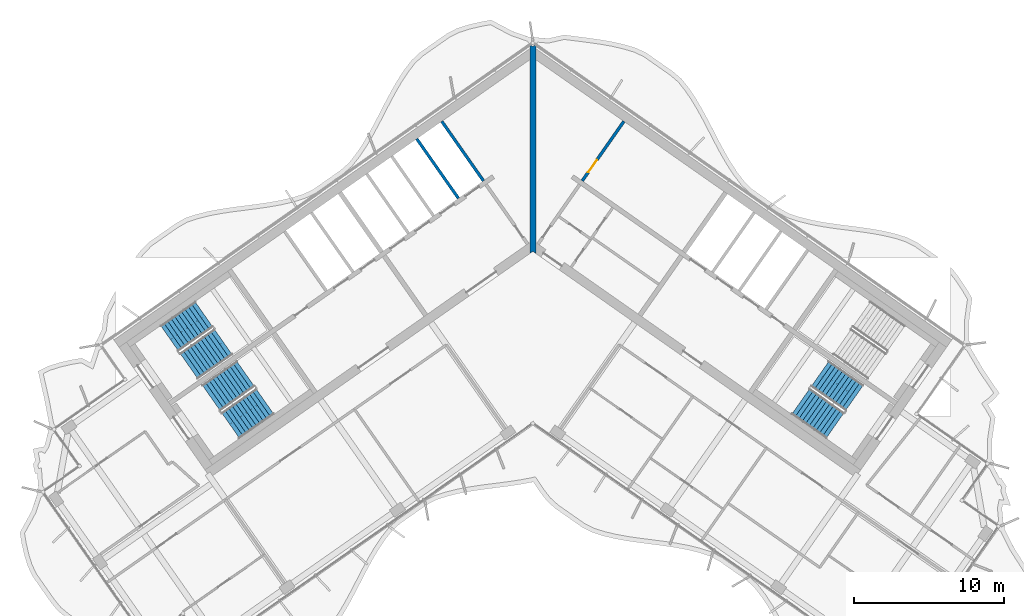
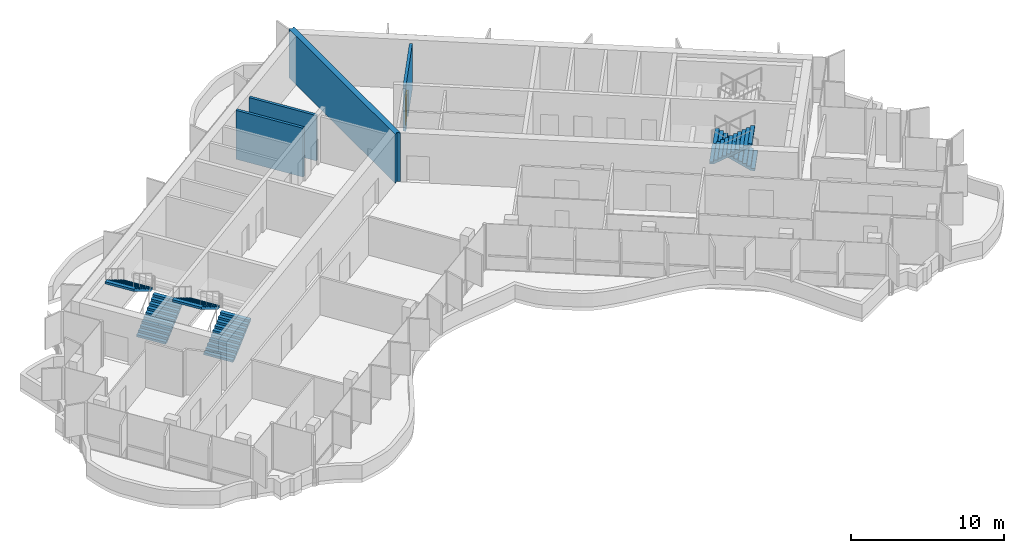
# One storey, part 12 of 18: 6 stair flights, 4 walls, 1 door, 1 opening, 3 elements without a shape of their own.
"""IFC4 building model written with IfcOpenShell, lengths in metres."""

from ifc_helpers import new_model, si_unit, direction, frame, frame_2d, origin, place, context, subcontext, project, spatial, polyline, rectangle, outline, extrude, material, layer, layer_set, type_object, element, fill, aggregate, save


model = new_model("IFC4")

# Units and contexts
model_context = context("Model", 3, precision=1e-05, world=origin(), true_north=direction((0.0, 1.0)))
body_context = subcontext(model_context, "Body", "Model", "MODEL_VIEW")
ifc_project = project(units=[si_unit("LENGTHUNIT", "METRE"), si_unit("AREAUNIT", "SQUARE_METRE"), si_unit("VOLUMEUNIT", "CUBIC_METRE"), si_unit("PLANEANGLEUNIT", "RADIAN"), si_unit("MASSUNIT", "GRAM", prefix="KILO")], contexts=[model_context])

# Site, building, storey
site_placement = place(None, origin())
site = spatial("IfcSite", under=ifc_project, at=site_placement, CompositionType="ELEMENT")
building_placement = place(site_placement, origin())
building = spatial("IfcBuilding", under=site, at=building_placement, Name="Tel Ilan Convention Tower", CompositionType="ELEMENT")
storey_placement = place(building_placement, frame((0.0, 0.0, 256.60009765625)))
storey = spatial("IfcBuildingStorey", under=building, at=storey_placement, Name="L60", CompositionType="ELEMENT", Elevation=256.60009765625)

# Wall
ifc_material_1 = material(Name="Concrete C30/37", Category="concrete")
ifc_layer_1 = layer(ifc_material_1, 0.199951171875)
ifc_layer_set_1 = layer_set([ifc_layer_1], Name="Core Service Room Wall 200 mm C30/37")
wall_type_1 = type_object("IfcWallType", Name="Core Service Room Wall 200 mm C30/37", PredefinedType="SOLIDWALL", material=ifc_layer_set_1)
wall_1_placement = place(storey_placement, frame((-3.2978515625, 3.489501953125, 0.0), z_axis=(0.0, 0.0, 1.0), x_axis=(-0.573560315113, 0.819163332265, 0.0)))
element("IfcWall", 1, at=wall_1_placement, inside=storey, type_object=wall_type_1, Name="L60 core wall apex-W-b", PredefinedType="SOLIDWALL", context=body_context, shape_type="SweptSolid", body=[
    extrude(rectangle(XDim=4.849853515625, YDim=0.199951171875, at=frame_2d((2.4248046875, 0.0))), origin(), (0.0, 0.0, 1.0), 3.619873046875),
])

# Wall, opening, door
wall_2_placement = place(storey_placement, frame((3.2978515625, 3.489501953125, 0.0), z_axis=(0.0, 0.0, 1.0), x_axis=(0.573560315113, 0.819163332265, 0.0)))
wall_2 = element("IfcWall", 2, at=wall_2_placement, inside=storey, type_object=wall_type_1, Name="L60 core wall apex-E-b", PredefinedType="SOLIDWALL", context=body_context, shape_type="SweptSolid", body=[
    extrude(rectangle(XDim=4.849853515625, YDim=0.199951171875, at=frame_2d((2.4248046875, 0.0))), origin(), (0.0, 0.0, 1.0), 3.619873046875),
])
opening_placement = place(wall_2_placement, frame((0.699951171875, 0.0, 0.0)))
opening = element("IfcOpeningElement", 3, at=opening_placement, cuts=wall_2, Name="Opening CD4603", PredefinedType="OPENING", context=body_context, shape_type="SweptSolid", body=[
    extrude(rectangle(XDim=1.0, YDim=2.10009765625, at=frame_2d((0.5, 1.050048828125))), frame((0.0, 0.10986328125, 0.0), z_axis=(0.0, -1.0, 0.0), x_axis=(1.0, 0.0, 0.0)), (0.0, 0.0, 1.0), 0.219970703125),
])
ifc_material_2 = material(Name="Galvanised Steel Door Leaf", Category="steel")
door_type = type_object("IfcDoorType", Name="Service Room Door 1000 x 2100 FD60", OperationType="NOTDEFINED", PredefinedType="DOOR", material=ifc_material_2)
door_placement = place(opening_placement, origin())
door = element("IfcDoor", 4, at=door_placement, inside=storey, type_object=door_type, Name="Plant Room door", OperationType="SINGLE_SWING_RIGHT", OverallHeight=2.10009765625, OverallWidth=1.0, PredefinedType="DOOR", context=body_context, shape_type="SweptSolid", body=[
    extrude(rectangle(XDim=1.0, YDim=2.10009765625, at=frame_2d((0.5, 1.050048828125))), frame((0.0, 0.02490234375, 0.0), z_axis=(0.0, -1.0, 0.0), x_axis=(1.0, 0.0, 0.0)), (0.0, 0.0, 1.0), 0.050048828125),
])
fill(opening, door)

# Walls
ifc_material_3 = material(Name="Concrete C40/50", Category="concrete")
ifc_layer_2 = layer(ifc_material_3, 0.39990234375)
ifc_layer_set_2 = layer_set([ifc_layer_2], Name="Core Shear Wall 400 mm C40/50")
wall_type_2 = type_object("IfcWallType", Name="Core Shear Wall 400 mm C40/50", PredefinedType="SHEAR", material=ifc_layer_set_2)
wall_3_placement = place(storey_placement, frame((0.0, -1.36083984375, 0.0), z_axis=(0.0, 0.0, 1.0), x_axis=(0.0, 1.0, 0.0)))
element("IfcWall", 5, at=wall_3_placement, inside=storey, type_object=wall_type_2, Name="L60 core wall K-central", PredefinedType="SHEAR", context=body_context, shape_type="SweptSolid", body=[
    extrude(outline(polyline([(0.14013671875, 0.199951171875), (0.0, 0.199951171875), (0.14013671875, 0.0), (0.0, -0.199951171875), (0.14013671875, -0.199951171875), (1.012451171875, -0.199951171875), (12.940185546875, -0.199951171875), (13.812744140625, -0.199951171875), (13.893310546875, -0.199951171875), (13.933349609375, -0.172119140625), (13.812744140625, 0.0), (13.933349609375, 0.172119140625), (13.893310546875, 0.199951171875), (13.812744140625, 0.199951171875), (12.940185546875, 0.199951171875), (1.012451171875, 0.199951171875), (0.14013671875, 0.199951171875)])), origin(), (0.0, 0.0, 1.0), 3.89990234375),
])
ifc_material_4 = material(Name="Concrete C30/37", Category="concrete")
ifc_layer_3 = layer(ifc_material_4, 0.199951171875)
ifc_layer_set_3 = layer_set([ifc_layer_3], Name="Lift Shaft Wall 200 mm C30/37")
wall_type_3 = type_object("IfcWallType", Name="Lift Shaft Wall 200 mm C30/37", PredefinedType="SOLIDWALL", material=ifc_layer_set_3)
wall_4_placement = place(storey_placement, frame((-4.966796875, 2.32080078125, 0.0), z_axis=(0.0, 0.0, 1.0), x_axis=(-0.573594092424, 0.81913968109, 0.0)))
element("IfcWall", 6, at=wall_4_placement, inside=storey, type_object=wall_type_3, Name="L60 core wall bank-W1-p0", PredefinedType="SOLIDWALL", context=body_context, shape_type="SweptSolid", body=[
    extrude(rectangle(XDim=4.85009765625, YDim=0.199951171875, at=frame_2d((2.425048828125, 0.0))), origin(), (0.0, 0.0, 1.0), 3.89990234375),
])

# Stair, stair flights
ifc_material_5 = material(Name="Concrete C40/50", Category="concrete")
stair_type = type_object("IfcStairType", Name="Pressurised Exit Stair 22 risers 177 mm", PredefinedType="HALF_TURN_STAIR", material=ifc_material_5)
stair_1_placement = place(storey_placement, origin())
stair_1 = element("IfcStair", 7, at=stair_1_placement, inside=storey, type_object=stair_type, Name="L60 Pressurised Stair S1", PredefinedType="HALF_TURN_STAIR")
ifc_material_6 = material(Name="Precast Concrete C40/50", Category="concrete")
stair_flight_type = type_object("IfcStairFlightType", Name="Concrete Stair Flight 2100 mm 22 risers 177 mm", PredefinedType="STRAIGHT", material=ifc_material_6)
stair_flight_1_placement = place(storey_placement, frame((-22.9619140625, -8.87548828125, 0.0), z_axis=(0.0, 0.0, 1.0), x_axis=(0.819152044289, 0.573576436351, 0.0)))
stair_flight_1 = element("IfcStairFlight", 8, at=stair_flight_1_placement, type_object=stair_flight_type, Name="S1 flight 1", NumberOfRisers=11, NumberOfTreads=10, PredefinedType="STRAIGHT", RiserHeight=0.177272727, TreadLength=0.28, context=body_context, shape_type="SweptSolid", body=[
    extrude(outline(polyline([(0.0, 0.0), (0.0, 0.17724609375), (0.280029296875, 0.17724609375), (0.280029296875, 0.3544921875), (0.56005859375, 0.3544921875), (0.56005859375, 0.53173828125), (0.840087890625, 0.53173828125), (0.840087890625, 0.708984375), (1.1201171875, 0.708984375), (1.1201171875, 0.886474609375), (1.39990234375, 0.886474609375), (1.39990234375, 1.063720703125), (1.679931640625, 1.063720703125), (1.679931640625, 1.240966796875), (1.9599609375, 1.240966796875), (1.9599609375, 1.418212890625), (2.239990234375, 1.418212890625), (2.239990234375, 1.595458984375), (2.52001953125, 1.595458984375), (2.52001953125, 1.772705078125), (2.800048828125, 1.772705078125), (2.800048828125, 1.949951171875), (2.800048828125, 1.59521484375), (0.2802734375, 0.0), (0.0, 0.0)])), frame((0.0, -0.100341796875, 0.0), z_axis=(0.0, -1.0, 0.0), x_axis=(1.0, 0.0, 0.0)), (0.0, 0.0, 1.0), 0.94970703125),
    extrude(outline(polyline([(0.0, 0.0), (0.0, 0.17724609375), (0.280029296875, 0.17724609375), (0.280029296875, 0.3544921875), (0.56005859375, 0.3544921875), (0.56005859375, 0.53173828125), (0.840087890625, 0.53173828125), (0.840087890625, 0.708984375), (1.1201171875, 0.708984375), (1.1201171875, 0.886474609375), (1.39990234375, 0.886474609375), (1.39990234375, 1.063720703125), (1.679931640625, 1.063720703125), (1.679931640625, 1.240966796875), (1.9599609375, 1.240966796875), (1.9599609375, 1.418212890625), (2.239990234375, 1.418212890625), (2.239990234375, 1.595458984375), (2.52001953125, 1.595458984375), (2.52001953125, 1.772705078125), (2.800048828125, 1.772705078125), (2.800048828125, 1.949951171875), (2.800048828125, 1.59521484375), (0.2802734375, 0.0), (0.0, 0.0)])), frame((0.0, -0.000244140625, 0.0), z_axis=(0.0, -1.0, 0.0), x_axis=(1.0, 0.0, 0.0)), (0.0, 0.0, 1.0), 0.099609375),
    extrude(outline(polyline([(0.0, 0.0), (0.0, 0.17724609375), (0.280029296875, 0.17724609375), (0.280029296875, 0.3544921875), (0.56005859375, 0.3544921875), (0.56005859375, 0.53173828125), (0.840087890625, 0.53173828125), (0.840087890625, 0.708984375), (1.1201171875, 0.708984375), (1.1201171875, 0.886474609375), (1.39990234375, 0.886474609375), (1.39990234375, 1.063720703125), (1.679931640625, 1.063720703125), (1.679931640625, 1.240966796875), (1.9599609375, 1.240966796875), (1.9599609375, 1.418212890625), (2.239990234375, 1.418212890625), (2.239990234375, 1.595458984375), (2.52001953125, 1.595458984375), (2.52001953125, 1.772705078125), (2.800048828125, 1.772705078125), (2.800048828125, 1.949951171875), (2.800048828125, 1.59521484375), (0.2802734375, 0.0), (0.0, 0.0)])), frame((0.0, 0.099853515625, 0.0), z_axis=(0.0, -1.0, 0.0), x_axis=(1.0, 0.0, 0.0)), (0.0, 0.0, 1.0), 0.099609375),
    extrude(outline(polyline([(0.0, 0.0), (0.0, 0.17724609375), (0.280029296875, 0.17724609375), (0.280029296875, 0.3544921875), (0.56005859375, 0.3544921875), (0.56005859375, 0.53173828125), (0.840087890625, 0.53173828125), (0.840087890625, 0.708984375), (1.1201171875, 0.708984375), (1.1201171875, 0.886474609375), (1.39990234375, 0.886474609375), (1.39990234375, 1.063720703125), (1.679931640625, 1.063720703125), (1.679931640625, 1.240966796875), (1.9599609375, 1.240966796875), (1.9599609375, 1.418212890625), (2.239990234375, 1.418212890625), (2.239990234375, 1.595458984375), (2.52001953125, 1.595458984375), (2.52001953125, 1.772705078125), (2.800048828125, 1.772705078125), (2.800048828125, 1.949951171875), (2.800048828125, 1.59521484375), (0.2802734375, 0.0), (0.0, 0.0)])), frame((0.0, 1.050048828125, 0.0), z_axis=(0.0, -1.0, 0.0), x_axis=(1.0, 0.0, 0.0)), (0.0, 0.0, 1.0), 0.94970703125),
])
stair_flight_2_placement = place(storey_placement, frame((-21.958740234375, -5.42626953125, 1.949951171875), z_axis=(0.0, 0.0, 1.0), x_axis=(-0.819152044289, -0.573576436351, 0.0)))
stair_flight_2 = element("IfcStairFlight", 9, at=stair_flight_2_placement, type_object=stair_flight_type, Name="S1 flight 2", NumberOfRisers=11, NumberOfTreads=10, PredefinedType="STRAIGHT", RiserHeight=0.177272727, TreadLength=0.28, context=body_context, shape_type="SweptSolid", body=[
    extrude(outline(polyline([(0.0, 0.0), (0.0, 0.17724609375), (0.280029296875, 0.17724609375), (0.280029296875, 0.3544921875), (0.56005859375, 0.3544921875), (0.56005859375, 0.53173828125), (0.840087890625, 0.53173828125), (0.840087890625, 0.708984375), (1.1201171875, 0.708984375), (1.1201171875, 0.886474609375), (1.39990234375, 0.886474609375), (1.39990234375, 1.063720703125), (1.679931640625, 1.063720703125), (1.679931640625, 1.240966796875), (1.9599609375, 1.240966796875), (1.9599609375, 1.418212890625), (2.239990234375, 1.418212890625), (2.239990234375, 1.595458984375), (2.52001953125, 1.595458984375), (2.52001953125, 1.772705078125), (2.800048828125, 1.772705078125), (2.800048828125, 1.949951171875), (2.800048828125, 1.59521484375), (0.2802734375, 0.0), (0.0, 0.0)])), frame((0.0, -0.100341796875, 0.0), z_axis=(0.0, -1.0, 0.0), x_axis=(1.0, 0.0, 0.0)), (0.0, 0.0, 1.0), 0.94970703125),
    extrude(outline(polyline([(0.0, 0.0), (0.0, 0.17724609375), (0.280029296875, 0.17724609375), (0.280029296875, 0.3544921875), (0.56005859375, 0.3544921875), (0.56005859375, 0.53173828125), (0.840087890625, 0.53173828125), (0.840087890625, 0.708984375), (1.1201171875, 0.708984375), (1.1201171875, 0.886474609375), (1.39990234375, 0.886474609375), (1.39990234375, 1.063720703125), (1.679931640625, 1.063720703125), (1.679931640625, 1.240966796875), (1.9599609375, 1.240966796875), (1.9599609375, 1.418212890625), (2.239990234375, 1.418212890625), (2.239990234375, 1.595458984375), (2.52001953125, 1.595458984375), (2.52001953125, 1.772705078125), (2.800048828125, 1.772705078125), (2.800048828125, 1.949951171875), (2.800048828125, 1.59521484375), (0.2802734375, 0.0), (0.0, 0.0)])), frame((0.0, -0.000244140625, 0.0), z_axis=(0.0, -1.0, 0.0), x_axis=(1.0, 0.0, 0.0)), (0.0, 0.0, 1.0), 0.099609375),
    extrude(outline(polyline([(0.0, 0.0), (0.0, 0.17724609375), (0.280029296875, 0.17724609375), (0.280029296875, 0.3544921875), (0.56005859375, 0.3544921875), (0.56005859375, 0.53173828125), (0.840087890625, 0.53173828125), (0.840087890625, 0.708984375), (1.1201171875, 0.708984375), (1.1201171875, 0.886474609375), (1.39990234375, 0.886474609375), (1.39990234375, 1.063720703125), (1.679931640625, 1.063720703125), (1.679931640625, 1.240966796875), (1.9599609375, 1.240966796875), (1.9599609375, 1.418212890625), (2.239990234375, 1.418212890625), (2.239990234375, 1.595458984375), (2.52001953125, 1.595458984375), (2.52001953125, 1.772705078125), (2.800048828125, 1.772705078125), (2.800048828125, 1.949951171875), (2.800048828125, 1.59521484375), (0.2802734375, 0.0), (0.0, 0.0)])), frame((0.0, 0.099853515625, 0.0), z_axis=(0.0, -1.0, 0.0), x_axis=(1.0, 0.0, 0.0)), (0.0, 0.0, 1.0), 0.099609375),
    extrude(outline(polyline([(0.0, 0.0), (0.0, 0.17724609375), (0.280029296875, 0.17724609375), (0.280029296875, 0.3544921875), (0.56005859375, 0.3544921875), (0.56005859375, 0.53173828125), (0.840087890625, 0.53173828125), (0.840087890625, 0.708984375), (1.1201171875, 0.708984375), (1.1201171875, 0.886474609375), (1.39990234375, 0.886474609375), (1.39990234375, 1.063720703125), (1.679931640625, 1.063720703125), (1.679931640625, 1.240966796875), (1.9599609375, 1.240966796875), (1.9599609375, 1.418212890625), (2.239990234375, 1.418212890625), (2.239990234375, 1.595458984375), (2.52001953125, 1.595458984375), (2.52001953125, 1.772705078125), (2.800048828125, 1.772705078125), (2.800048828125, 1.949951171875), (2.800048828125, 1.59521484375), (0.2802734375, 0.0), (0.0, 0.0)])), frame((0.0, 1.050048828125, 0.0), z_axis=(0.0, -1.0, 0.0), x_axis=(1.0, 0.0, 0.0)), (0.0, 0.0, 1.0), 0.94970703125),
])
aggregate(stair_1, [stair_flight_1, stair_flight_2])

stair_2_placement = place(storey_placement, origin())
stair_2 = element("IfcStair", 10, at=stair_2_placement, inside=storey, type_object=stair_type, Name="L60 Pressurised Stair S2", PredefinedType="HALF_TURN_STAIR")
stair_flight_3_placement = place(storey_placement, frame((-20.179931640625, -12.848388671875, 0.0), z_axis=(0.0, 0.0, 1.0), x_axis=(0.819152044289, 0.573576436351, 0.0)))
stair_flight_3 = element("IfcStairFlight", 11, at=stair_flight_3_placement, type_object=stair_flight_type, Name="S2 flight 1", NumberOfRisers=11, NumberOfTreads=10, PredefinedType="STRAIGHT", RiserHeight=0.177272727, TreadLength=0.28, context=body_context, shape_type="SweptSolid", body=[
    extrude(outline(polyline([(0.0, 0.0), (0.0, 0.17724609375), (0.280029296875, 0.17724609375), (0.280029296875, 0.3544921875), (0.56005859375, 0.3544921875), (0.56005859375, 0.53173828125), (0.840087890625, 0.53173828125), (0.840087890625, 0.708984375), (1.1201171875, 0.708984375), (1.1201171875, 0.886474609375), (1.39990234375, 0.886474609375), (1.39990234375, 1.063720703125), (1.679931640625, 1.063720703125), (1.679931640625, 1.240966796875), (1.9599609375, 1.240966796875), (1.9599609375, 1.418212890625), (2.239990234375, 1.418212890625), (2.239990234375, 1.595458984375), (2.52001953125, 1.595458984375), (2.52001953125, 1.772705078125), (2.800048828125, 1.772705078125), (2.800048828125, 1.949951171875), (2.800048828125, 1.59521484375), (0.2802734375, 0.0), (0.0, 0.0)])), frame((0.0, -0.100341796875, 0.0), z_axis=(0.0, -1.0, 0.0), x_axis=(1.0, 0.0, 0.0)), (0.0, 0.0, 1.0), 0.94970703125),
    extrude(outline(polyline([(0.0, 0.0), (0.0, 0.17724609375), (0.280029296875, 0.17724609375), (0.280029296875, 0.3544921875), (0.56005859375, 0.3544921875), (0.56005859375, 0.53173828125), (0.840087890625, 0.53173828125), (0.840087890625, 0.708984375), (1.1201171875, 0.708984375), (1.1201171875, 0.886474609375), (1.39990234375, 0.886474609375), (1.39990234375, 1.063720703125), (1.679931640625, 1.063720703125), (1.679931640625, 1.240966796875), (1.9599609375, 1.240966796875), (1.9599609375, 1.418212890625), (2.239990234375, 1.418212890625), (2.239990234375, 1.595458984375), (2.52001953125, 1.595458984375), (2.52001953125, 1.772705078125), (2.800048828125, 1.772705078125), (2.800048828125, 1.949951171875), (2.800048828125, 1.59521484375), (0.2802734375, 0.0), (0.0, 0.0)])), frame((0.0, -0.000244140625, 0.0), z_axis=(0.0, -1.0, 0.0), x_axis=(1.0, 0.0, 0.0)), (0.0, 0.0, 1.0), 0.099609375),
    extrude(outline(polyline([(0.0, 0.0), (0.0, 0.17724609375), (0.280029296875, 0.17724609375), (0.280029296875, 0.3544921875), (0.56005859375, 0.3544921875), (0.56005859375, 0.53173828125), (0.840087890625, 0.53173828125), (0.840087890625, 0.708984375), (1.1201171875, 0.708984375), (1.1201171875, 0.886474609375), (1.39990234375, 0.886474609375), (1.39990234375, 1.063720703125), (1.679931640625, 1.063720703125), (1.679931640625, 1.240966796875), (1.9599609375, 1.240966796875), (1.9599609375, 1.418212890625), (2.239990234375, 1.418212890625), (2.239990234375, 1.595458984375), (2.52001953125, 1.595458984375), (2.52001953125, 1.772705078125), (2.800048828125, 1.772705078125), (2.800048828125, 1.949951171875), (2.800048828125, 1.59521484375), (0.2802734375, 0.0), (0.0, 0.0)])), frame((0.0, 0.099853515625, 0.0), z_axis=(0.0, -1.0, 0.0), x_axis=(1.0, 0.0, 0.0)), (0.0, 0.0, 1.0), 0.099609375),
    extrude(outline(polyline([(0.0, 0.0), (0.0, 0.17724609375), (0.280029296875, 0.17724609375), (0.280029296875, 0.3544921875), (0.56005859375, 0.3544921875), (0.56005859375, 0.53173828125), (0.840087890625, 0.53173828125), (0.840087890625, 0.708984375), (1.1201171875, 0.708984375), (1.1201171875, 0.886474609375), (1.39990234375, 0.886474609375), (1.39990234375, 1.063720703125), (1.679931640625, 1.063720703125), (1.679931640625, 1.240966796875), (1.9599609375, 1.240966796875), (1.9599609375, 1.418212890625), (2.239990234375, 1.418212890625), (2.239990234375, 1.595458984375), (2.52001953125, 1.595458984375), (2.52001953125, 1.772705078125), (2.800048828125, 1.772705078125), (2.800048828125, 1.949951171875), (2.800048828125, 1.59521484375), (0.2802734375, 0.0), (0.0, 0.0)])), frame((0.0, 1.050048828125, 0.0), z_axis=(0.0, -1.0, 0.0), x_axis=(1.0, 0.0, 0.0)), (0.0, 0.0, 1.0), 0.94970703125),
])
stair_flight_4_placement = place(storey_placement, frame((-19.177001953125, -9.399169921875, 1.949951171875), z_axis=(0.0, 0.0, 1.0), x_axis=(-0.819152044289, -0.573576436351, 0.0)))
stair_flight_4 = element("IfcStairFlight", 12, at=stair_flight_4_placement, type_object=stair_flight_type, Name="S2 flight 2", NumberOfRisers=11, NumberOfTreads=10, PredefinedType="STRAIGHT", RiserHeight=0.177272727, TreadLength=0.28, context=body_context, shape_type="SweptSolid", body=[
    extrude(outline(polyline([(0.0, 0.0), (0.0, 0.17724609375), (0.280029296875, 0.17724609375), (0.280029296875, 0.3544921875), (0.56005859375, 0.3544921875), (0.56005859375, 0.53173828125), (0.840087890625, 0.53173828125), (0.840087890625, 0.708984375), (1.1201171875, 0.708984375), (1.1201171875, 0.886474609375), (1.39990234375, 0.886474609375), (1.39990234375, 1.063720703125), (1.679931640625, 1.063720703125), (1.679931640625, 1.240966796875), (1.9599609375, 1.240966796875), (1.9599609375, 1.418212890625), (2.239990234375, 1.418212890625), (2.239990234375, 1.595458984375), (2.52001953125, 1.595458984375), (2.52001953125, 1.772705078125), (2.800048828125, 1.772705078125), (2.800048828125, 1.949951171875), (2.800048828125, 1.59521484375), (0.2802734375, 0.0), (0.0, 0.0)])), frame((0.0, -0.100341796875, 0.0), z_axis=(0.0, -1.0, 0.0), x_axis=(1.0, 0.0, 0.0)), (0.0, 0.0, 1.0), 0.94970703125),
    extrude(outline(polyline([(0.0, 0.0), (0.0, 0.17724609375), (0.280029296875, 0.17724609375), (0.280029296875, 0.3544921875), (0.56005859375, 0.3544921875), (0.56005859375, 0.53173828125), (0.840087890625, 0.53173828125), (0.840087890625, 0.708984375), (1.1201171875, 0.708984375), (1.1201171875, 0.886474609375), (1.39990234375, 0.886474609375), (1.39990234375, 1.063720703125), (1.679931640625, 1.063720703125), (1.679931640625, 1.240966796875), (1.9599609375, 1.240966796875), (1.9599609375, 1.418212890625), (2.239990234375, 1.418212890625), (2.239990234375, 1.595458984375), (2.52001953125, 1.595458984375), (2.52001953125, 1.772705078125), (2.800048828125, 1.772705078125), (2.800048828125, 1.949951171875), (2.800048828125, 1.59521484375), (0.2802734375, 0.0), (0.0, 0.0)])), frame((0.0, -0.000244140625, 0.0), z_axis=(0.0, -1.0, 0.0), x_axis=(1.0, 0.0, 0.0)), (0.0, 0.0, 1.0), 0.099609375),
    extrude(outline(polyline([(0.0, 0.0), (0.0, 0.17724609375), (0.280029296875, 0.17724609375), (0.280029296875, 0.3544921875), (0.56005859375, 0.3544921875), (0.56005859375, 0.53173828125), (0.840087890625, 0.53173828125), (0.840087890625, 0.708984375), (1.1201171875, 0.708984375), (1.1201171875, 0.886474609375), (1.39990234375, 0.886474609375), (1.39990234375, 1.063720703125), (1.679931640625, 1.063720703125), (1.679931640625, 1.240966796875), (1.9599609375, 1.240966796875), (1.9599609375, 1.418212890625), (2.239990234375, 1.418212890625), (2.239990234375, 1.595458984375), (2.52001953125, 1.595458984375), (2.52001953125, 1.772705078125), (2.800048828125, 1.772705078125), (2.800048828125, 1.949951171875), (2.800048828125, 1.59521484375), (0.2802734375, 0.0), (0.0, 0.0)])), frame((0.0, 0.099853515625, 0.0), z_axis=(0.0, -1.0, 0.0), x_axis=(1.0, 0.0, 0.0)), (0.0, 0.0, 1.0), 0.099609375),
    extrude(outline(polyline([(0.0, 0.0), (0.0, 0.17724609375), (0.280029296875, 0.17724609375), (0.280029296875, 0.3544921875), (0.56005859375, 0.3544921875), (0.56005859375, 0.53173828125), (0.840087890625, 0.53173828125), (0.840087890625, 0.708984375), (1.1201171875, 0.708984375), (1.1201171875, 0.886474609375), (1.39990234375, 0.886474609375), (1.39990234375, 1.063720703125), (1.679931640625, 1.063720703125), (1.679931640625, 1.240966796875), (1.9599609375, 1.240966796875), (1.9599609375, 1.418212890625), (2.239990234375, 1.418212890625), (2.239990234375, 1.595458984375), (2.52001953125, 1.595458984375), (2.52001953125, 1.772705078125), (2.800048828125, 1.772705078125), (2.800048828125, 1.949951171875), (2.800048828125, 1.59521484375), (0.2802734375, 0.0), (0.0, 0.0)])), frame((0.0, 1.050048828125, 0.0), z_axis=(0.0, -1.0, 0.0), x_axis=(1.0, 0.0, 0.0)), (0.0, 0.0, 1.0), 0.94970703125),
])
aggregate(stair_2, [stair_flight_3, stair_flight_4])

stair_3_placement = place(storey_placement, origin())
stair_3 = element("IfcStair", 13, at=stair_3_placement, inside=storey, type_object=stair_type, Name="L60 Pressurised Stair S4", PredefinedType="HALF_TURN_STAIR")
stair_flight_5_placement = place(storey_placement, frame((21.470458984375, -11.00537109375, 0.0), z_axis=(0.0, 0.0, 1.0), x_axis=(-0.819152044289, 0.573576436351, 0.0)))
stair_flight_5 = element("IfcStairFlight", 14, at=stair_flight_5_placement, type_object=stair_flight_type, Name="S4 flight 1", NumberOfRisers=11, NumberOfTreads=10, PredefinedType="STRAIGHT", RiserHeight=0.177272727, TreadLength=0.28, context=body_context, shape_type="SweptSolid", body=[
    extrude(outline(polyline([(0.0, 0.0), (0.0, 0.17724609375), (0.280029296875, 0.17724609375), (0.280029296875, 0.3544921875), (0.56005859375, 0.3544921875), (0.56005859375, 0.53173828125), (0.840087890625, 0.53173828125), (0.840087890625, 0.708984375), (1.1201171875, 0.708984375), (1.1201171875, 0.886474609375), (1.39990234375, 0.886474609375), (1.39990234375, 1.063720703125), (1.679931640625, 1.063720703125), (1.679931640625, 1.240966796875), (1.9599609375, 1.240966796875), (1.9599609375, 1.418212890625), (2.239990234375, 1.418212890625), (2.239990234375, 1.595458984375), (2.52001953125, 1.595458984375), (2.52001953125, 1.772705078125), (2.800048828125, 1.772705078125), (2.800048828125, 1.949951171875), (2.800048828125, 1.59521484375), (0.2802734375, 0.0), (0.0, 0.0)])), frame((0.0, -0.100341796875, 0.0), z_axis=(0.0, -1.0, 0.0), x_axis=(1.0, 0.0, 0.0)), (0.0, 0.0, 1.0), 0.94970703125),
    extrude(outline(polyline([(0.0, 0.0), (0.0, 0.17724609375), (0.280029296875, 0.17724609375), (0.280029296875, 0.3544921875), (0.56005859375, 0.3544921875), (0.56005859375, 0.53173828125), (0.840087890625, 0.53173828125), (0.840087890625, 0.708984375), (1.1201171875, 0.708984375), (1.1201171875, 0.886474609375), (1.39990234375, 0.886474609375), (1.39990234375, 1.063720703125), (1.679931640625, 1.063720703125), (1.679931640625, 1.240966796875), (1.9599609375, 1.240966796875), (1.9599609375, 1.418212890625), (2.239990234375, 1.418212890625), (2.239990234375, 1.595458984375), (2.52001953125, 1.595458984375), (2.52001953125, 1.772705078125), (2.800048828125, 1.772705078125), (2.800048828125, 1.949951171875), (2.800048828125, 1.59521484375), (0.2802734375, 0.0), (0.0, 0.0)])), frame((0.0, -0.000244140625, 0.0), z_axis=(0.0, -1.0, 0.0), x_axis=(1.0, 0.0, 0.0)), (0.0, 0.0, 1.0), 0.099609375),
    extrude(outline(polyline([(0.0, 0.0), (0.0, 0.17724609375), (0.280029296875, 0.17724609375), (0.280029296875, 0.3544921875), (0.56005859375, 0.3544921875), (0.56005859375, 0.53173828125), (0.840087890625, 0.53173828125), (0.840087890625, 0.708984375), (1.1201171875, 0.708984375), (1.1201171875, 0.886474609375), (1.39990234375, 0.886474609375), (1.39990234375, 1.063720703125), (1.679931640625, 1.063720703125), (1.679931640625, 1.240966796875), (1.9599609375, 1.240966796875), (1.9599609375, 1.418212890625), (2.239990234375, 1.418212890625), (2.239990234375, 1.595458984375), (2.52001953125, 1.595458984375), (2.52001953125, 1.772705078125), (2.800048828125, 1.772705078125), (2.800048828125, 1.949951171875), (2.800048828125, 1.59521484375), (0.2802734375, 0.0), (0.0, 0.0)])), frame((0.0, 0.099853515625, 0.0), z_axis=(0.0, -1.0, 0.0), x_axis=(1.0, 0.0, 0.0)), (0.0, 0.0, 1.0), 0.099609375),
    extrude(outline(polyline([(0.0, 0.0), (0.0, 0.17724609375), (0.280029296875, 0.17724609375), (0.280029296875, 0.3544921875), (0.56005859375, 0.3544921875), (0.56005859375, 0.53173828125), (0.840087890625, 0.53173828125), (0.840087890625, 0.708984375), (1.1201171875, 0.708984375), (1.1201171875, 0.886474609375), (1.39990234375, 0.886474609375), (1.39990234375, 1.063720703125), (1.679931640625, 1.063720703125), (1.679931640625, 1.240966796875), (1.9599609375, 1.240966796875), (1.9599609375, 1.418212890625), (2.239990234375, 1.418212890625), (2.239990234375, 1.595458984375), (2.52001953125, 1.595458984375), (2.52001953125, 1.772705078125), (2.800048828125, 1.772705078125), (2.800048828125, 1.949951171875), (2.800048828125, 1.59521484375), (0.2802734375, 0.0), (0.0, 0.0)])), frame((0.0, 1.050048828125, 0.0), z_axis=(0.0, -1.0, 0.0), x_axis=(1.0, 0.0, 0.0)), (0.0, 0.0, 1.0), 0.94970703125),
])
stair_flight_6_placement = place(storey_placement, frame((17.886474609375, -11.242431640625, 1.949951171875), z_axis=(0.0, 0.0, 1.0), x_axis=(0.819152044289, -0.573576436351, 0.0)))
stair_flight_6 = element("IfcStairFlight", 15, at=stair_flight_6_placement, type_object=stair_flight_type, Name="S4 flight 2", NumberOfRisers=11, NumberOfTreads=10, PredefinedType="STRAIGHT", RiserHeight=0.177272727, TreadLength=0.28, context=body_context, shape_type="SweptSolid", body=[
    extrude(outline(polyline([(0.0, 0.0), (0.0, 0.17724609375), (0.280029296875, 0.17724609375), (0.280029296875, 0.3544921875), (0.56005859375, 0.3544921875), (0.56005859375, 0.53173828125), (0.840087890625, 0.53173828125), (0.840087890625, 0.708984375), (1.1201171875, 0.708984375), (1.1201171875, 0.886474609375), (1.39990234375, 0.886474609375), (1.39990234375, 1.063720703125), (1.679931640625, 1.063720703125), (1.679931640625, 1.240966796875), (1.9599609375, 1.240966796875), (1.9599609375, 1.418212890625), (2.239990234375, 1.418212890625), (2.239990234375, 1.595458984375), (2.52001953125, 1.595458984375), (2.52001953125, 1.772705078125), (2.800048828125, 1.772705078125), (2.800048828125, 1.949951171875), (2.800048828125, 1.59521484375), (0.2802734375, 0.0), (0.0, 0.0)])), frame((0.0, -0.100341796875, 0.0), z_axis=(0.0, -1.0, 0.0), x_axis=(1.0, 0.0, 0.0)), (0.0, 0.0, 1.0), 0.94970703125),
    extrude(outline(polyline([(0.0, 0.0), (0.0, 0.17724609375), (0.280029296875, 0.17724609375), (0.280029296875, 0.3544921875), (0.56005859375, 0.3544921875), (0.56005859375, 0.53173828125), (0.840087890625, 0.53173828125), (0.840087890625, 0.708984375), (1.1201171875, 0.708984375), (1.1201171875, 0.886474609375), (1.39990234375, 0.886474609375), (1.39990234375, 1.063720703125), (1.679931640625, 1.063720703125), (1.679931640625, 1.240966796875), (1.9599609375, 1.240966796875), (1.9599609375, 1.418212890625), (2.239990234375, 1.418212890625), (2.239990234375, 1.595458984375), (2.52001953125, 1.595458984375), (2.52001953125, 1.772705078125), (2.800048828125, 1.772705078125), (2.800048828125, 1.949951171875), (2.800048828125, 1.59521484375), (0.2802734375, 0.0), (0.0, 0.0)])), frame((0.0, -0.000244140625, 0.0), z_axis=(0.0, -1.0, 0.0), x_axis=(1.0, 0.0, 0.0)), (0.0, 0.0, 1.0), 0.099609375),
    extrude(outline(polyline([(0.0, 0.0), (0.0, 0.17724609375), (0.280029296875, 0.17724609375), (0.280029296875, 0.3544921875), (0.56005859375, 0.3544921875), (0.56005859375, 0.53173828125), (0.840087890625, 0.53173828125), (0.840087890625, 0.708984375), (1.1201171875, 0.708984375), (1.1201171875, 0.886474609375), (1.39990234375, 0.886474609375), (1.39990234375, 1.063720703125), (1.679931640625, 1.063720703125), (1.679931640625, 1.240966796875), (1.9599609375, 1.240966796875), (1.9599609375, 1.418212890625), (2.239990234375, 1.418212890625), (2.239990234375, 1.595458984375), (2.52001953125, 1.595458984375), (2.52001953125, 1.772705078125), (2.800048828125, 1.772705078125), (2.800048828125, 1.949951171875), (2.800048828125, 1.59521484375), (0.2802734375, 0.0), (0.0, 0.0)])), frame((0.0, 0.099853515625, 0.0), z_axis=(0.0, -1.0, 0.0), x_axis=(1.0, 0.0, 0.0)), (0.0, 0.0, 1.0), 0.099609375),
    extrude(outline(polyline([(0.0, 0.0), (0.0, 0.17724609375), (0.280029296875, 0.17724609375), (0.280029296875, 0.3544921875), (0.56005859375, 0.3544921875), (0.56005859375, 0.53173828125), (0.840087890625, 0.53173828125), (0.840087890625, 0.708984375), (1.1201171875, 0.708984375), (1.1201171875, 0.886474609375), (1.39990234375, 0.886474609375), (1.39990234375, 1.063720703125), (1.679931640625, 1.063720703125), (1.679931640625, 1.240966796875), (1.9599609375, 1.240966796875), (1.9599609375, 1.418212890625), (2.239990234375, 1.418212890625), (2.239990234375, 1.595458984375), (2.52001953125, 1.595458984375), (2.52001953125, 1.772705078125), (2.800048828125, 1.772705078125), (2.800048828125, 1.949951171875), (2.800048828125, 1.59521484375), (0.2802734375, 0.0), (0.0, 0.0)])), frame((0.0, 1.050048828125, 0.0), z_axis=(0.0, -1.0, 0.0), x_axis=(1.0, 0.0, 0.0)), (0.0, 0.0, 1.0), 0.94970703125),
])
aggregate(stair_3, [stair_flight_5, stair_flight_6])

save(model, "model.ifc")
